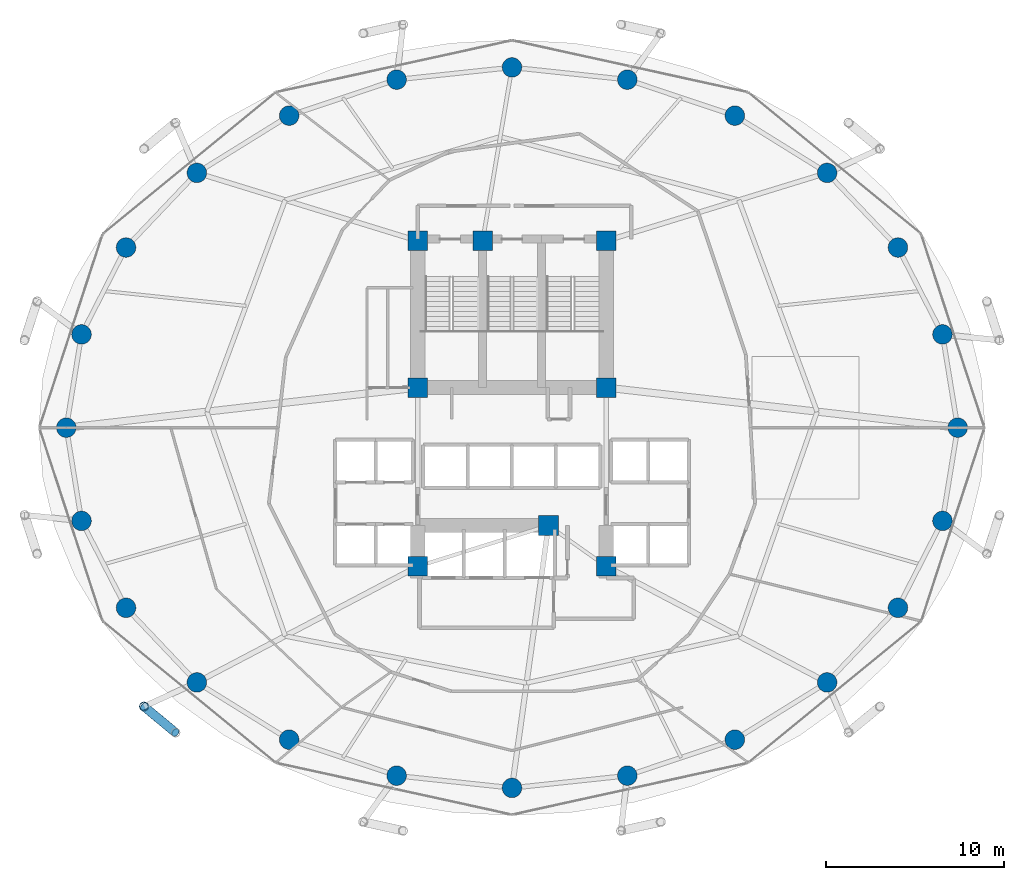
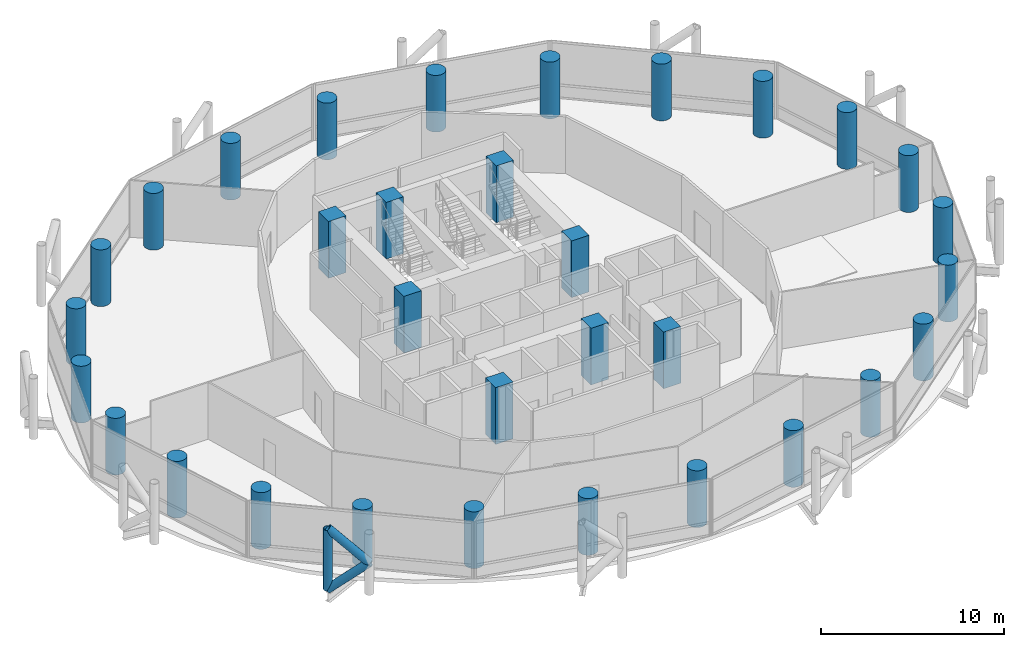
# One storey, part 1 of 24: 32 columns, 3 members.
"""IFC4 building model written with IfcOpenShell, lengths in metres."""

from ifc_helpers import new_model, si_unit, direction, frame, origin, origin_2d, place, context, subcontext, project, spatial, rectangle, circle, hollow_circle, extrude, material, material_profile, profile_set, type_object, element, save


model = new_model("IFC4")

# Units and contexts
model_context = context("Model", 3, precision=1e-05, world=origin(), true_north=direction((0.0, 1.0)))
body_context = subcontext(model_context, "Body", "Model", "MODEL_VIEW")
ifc_project = project(units=[si_unit("LENGTHUNIT", "METRE"), si_unit("AREAUNIT", "SQUARE_METRE"), si_unit("VOLUMEUNIT", "CUBIC_METRE"), si_unit("PLANEANGLEUNIT", "RADIAN"), si_unit("MASSUNIT", "GRAM", prefix="KILO")], contexts=[model_context])

# Site, building, storey
site_placement = place(None, origin())
site = spatial("IfcSite", under=ifc_project, at=site_placement, CompositionType="ELEMENT")
building_placement = place(site_placement, origin())
building = spatial("IfcBuilding", under=site, at=building_placement, Name="Nuhasar Tower", CompositionType="ELEMENT")
storey_placement = place(building_placement, frame((0.0, 0.0, 37.199951171875)))
storey = spatial("IfcBuildingStorey", under=building, at=storey_placement, Name="L08", CompositionType="ELEMENT", Elevation=37.199951171875)

# Columns
ifc_material_1 = material(Name="Concrete C80/95", Category="concrete")
ifc_material_profile_1 = material_profile(ifc_material_1, circle(Radius=0.550048828125, at=origin_2d()), Name="CFT1100")
ifc_profile_set_1 = profile_set([ifc_material_profile_1], Name="Concrete C80/95")
column_type_1 = type_object("IfcColumnType", Name="COL-CFT-1100", PredefinedType="COLUMN", material=ifc_profile_set_1)
for number, where, z_axis, x_axis, name in (
    (1, (64.050048828125, 26.800048828125, 0.0), (0.0, 0.0, 1.0), (1.0, 0.0, 0.0), "L08 Perimeter Composite Column TC-01"),
    (2, (63.196044921875, 32.041015625, 0.0), (0.0, 0.0, 1.0), (1.0, 0.0, 0.0), "L08 Perimeter Composite Column TC-02"),
    (3, (60.694091796875, 36.925048828125, 0.0), (0.0, 0.0, 1.0), (1.0, 0.0, 0.0), "L08 Perimeter Composite Column TC-03"),
    (4, (56.712890625, 41.118896484375, 0.0), (0.0, 0.0, 1.0), (1.0, 0.0, 0.0), "L08 Perimeter Composite Column TC-04"),
    (5, (51.52490234375, 44.3369140625, 0.0), (0.0, 0.0, 1.0), (1.0, 0.0, 0.0), "L08 Perimeter Composite Column TC-05"),
    (6, (45.48291015625, 46.360107421875, 0.0), (0.0, 0.0, 1.0), (1.0, 0.0, 0.0), "L08 Perimeter Composite Column TC-06"),
    (7, (39.0, 47.050048828125, 0.0), (0.0, 0.0, 1.0), (1.0, 0.0, 0.0), "L08 Perimeter Composite Column TC-07"),
    (8, (32.51708984375, 46.360107421875, 0.0), (0.0, 0.0, 1.0), (1.0, 0.0, 0.0), "L08 Perimeter Composite Column TC-08"),
    (9, (26.47509765625, 44.3369140625, 0.0), (0.0, 0.0, 1.0), (1.0, 0.0, 0.0), "L08 Perimeter Composite Column TC-09"),
    (10, (21.287109375, 41.118896484375, 0.0), (0.0, 0.0, 1.0), (1.0, 0.0, 0.0), "L08 Perimeter Composite Column TC-10"),
    (11, (17.305908203125, 36.925048828125, 0.0), (0.0, 0.0, 1.0), (1.0, 0.0, 0.0), "L08 Perimeter Composite Column TC-11"),
    (12, (14.803955078125, 32.041015625, 0.0), (0.0, 0.0, 1.0), (1.0, 0.0, 0.0), "L08 Perimeter Composite Column TC-12"),
    (13, (13.949951171875, 26.800048828125, 0.0), (0.0, 0.0, 1.0), (1.0, 0.0, 0.0), "L08 Perimeter Composite Column TC-13"),
    (14, (14.803955078125, 21.55908203125, 0.0), (0.0, 0.0, 1.0), (1.0, 0.0, 0.0), "L08 Perimeter Composite Column TC-14"),
    (15, (17.305908203125, 16.675048828125, 0.0), (0.0, 0.0, 1.0), (1.0, 0.0, 0.0), "L08 Perimeter Composite Column TC-15"),
    (16, (21.287109375, 12.48095703125, 0.0), (0.0, 0.0, 1.0), (1.0, 0.0, 0.0), "L08 Perimeter Composite Column TC-16"),
    (17, (26.47509765625, 9.262939453125, 0.0), (0.0, 0.0, 1.0), (1.0, 0.0, 0.0), "L08 Perimeter Composite Column TC-17"),
    (18, (32.51708984375, 7.239990234375, 0.0), (0.0, 0.0, 1.0), (1.0, 0.0, 0.0), "L08 Perimeter Composite Column TC-18"),
    (19, (39.0, 6.550048828125, 0.0), (0.0, 0.0, 1.0), (1.0, 0.0, 0.0), "L08 Perimeter Composite Column TC-19"),
    (20, (45.48291015625, 7.239990234375, 0.0), (0.0, 0.0, 1.0), (1.0, 0.0, 0.0), "L08 Perimeter Composite Column TC-20"),
    (21, (51.52490234375, 9.262939453125, 0.0), (0.0, 0.0, 1.0), (1.0, 0.0, 0.0), "L08 Perimeter Composite Column TC-21"),
    (22, (56.712890625, 12.48095703125, 0.0), (0.0, 0.0, 1.0), (1.0, 0.0, 0.0), "L08 Perimeter Composite Column TC-22"),
    (23, (60.694091796875, 16.675048828125, 0.0), (0.0, 0.0, 1.0), (1.0, 0.0, 0.0), "L08 Perimeter Composite Column TC-23"),
    (24, (63.196044921875, 21.55908203125, 0.0), (0.0, 0.0, 1.0), (1.0, 0.0, 0.0), "L08 Perimeter Composite Column TC-24"),
):
    element("IfcColumn", number, at=place(storey_placement, frame(where, z_axis=z_axis, x_axis=x_axis)), inside=storey, type_object=column_type_1, Name=name, PredefinedType="COLUMN", context=body_context, shape_type="SweptSolid", body=[
        extrude(circle(Radius=0.550048828125, at=origin_2d()), origin(), (0.0, 0.0, 1.0), 3.7900390625),
    ])
ifc_material_profile_2 = material_profile(ifc_material_1, rectangle(XDim=1.10009765625, YDim=1.10009765625, at=origin_2d()), Name="RC1100X1100")
ifc_profile_set_2 = profile_set([ifc_material_profile_2], Name="Concrete C80/95")
column_type_2 = type_object("IfcColumnType", Name="PIL-RC-1100", PredefinedType="PILASTER", material=ifc_profile_set_2)
for number, where, z_axis, x_axis, name in (
    (25, (33.699951171875, 19.0, 0.0), (0.0, 0.0, 1.0), (1.0, 0.0, 0.0), "L08 Core Boundary Pilaster CC-01"),
    (26, (41.050048828125, 21.300048828125, 0.0), (0.0, 0.0, 1.0), (1.0, 0.0, 0.0), "L08 Core Boundary Pilaster CC-02"),
    (27, (44.300048828125, 19.0, 0.0), (0.0, 0.0, 1.0), (1.0, 0.0, 0.0), "L08 Core Boundary Pilaster CC-03"),
    (28, (44.300048828125, 29.050048828125, 0.0), (0.0, 0.0, 1.0), (1.0, 0.0, 0.0), "L08 Core Boundary Pilaster CC-04"),
    (29, (44.300048828125, 37.300048828125, 0.0), (0.0, 0.0, 1.0), (1.0, 0.0, 0.0), "L08 Core Boundary Pilaster CC-05"),
    (30, (37.35009765625, 37.300048828125, 0.0), (0.0, 0.0, 1.0), (1.0, 0.0, 0.0), "L08 Core Boundary Pilaster CC-06"),
    (31, (33.699951171875, 37.300048828125, 0.0), (0.0, 0.0, 1.0), (1.0, 0.0, 0.0), "L08 Core Boundary Pilaster CC-07"),
    (32, (33.699951171875, 29.050048828125, 0.0), (0.0, 0.0, 1.0), (1.0, 0.0, 0.0), "L08 Core Boundary Pilaster CC-08"),
):
    element("IfcColumn", number, at=place(storey_placement, frame(where, z_axis=z_axis, x_axis=x_axis)), inside=storey, type_object=column_type_2, Name=name, PredefinedType="PILASTER", context=body_context, shape_type="SweptSolid", body=[
        extrude(rectangle(XDim=1.10009765625, YDim=1.10009765625, at=origin_2d()), origin(), (0.0, 0.0, 1.0), 3.7900390625),
    ])

# Members
ifc_material_2 = material(Name="Steel S460", Category="steel")
ifc_material_profile_3 = material_profile(ifc_material_2, hollow_circle(Radius=0.25390625, WallThickness=0.025390625, at=origin_2d()), Name="HSS508X25.4")
ifc_profile_set_3 = profile_set([ifc_material_profile_3], Name="Steel S460")
member_type = type_object("IfcMemberType", Name="EXO-BRONZE-508", PredefinedType="BRACE", material=ifc_profile_set_3)
member_1_placement = place(storey_placement, frame((18.31494140625, 11.12890625, 0.0), z_axis=(0.0, 0.0, 1.0), x_axis=(1.0, 0.0, 0.0)))
element("IfcMember", 33, at=member_1_placement, inside=storey, type_object=member_type, Name="L08 Exoskeleton Chord Column EC-08A", PredefinedType="BRACE", context=body_context, shape_type="SweptSolid", body=[
    extrude(hollow_circle(Radius=0.25390625, WallThickness=0.025390625, at=origin_2d()), origin(), (0.0, 0.0, 1.0), 4.050048828125),
])
member_2_placement = place(storey_placement, frame((18.31494140625, 11.12890625, 0.0), z_axis=(0.578071194894, -0.478911834514, 0.660664172175), x_axis=(0.637969333506, 0.770061769929, 0.0)))
element("IfcMember", 34, at=member_2_placement, inside=storey, type_object=member_type, Name="L08 Bronze Diagrid Brace W1-08", PredefinedType="BRACE", context=body_context, shape_type="SweptSolid", body=[
    extrude(hollow_circle(Radius=0.25390625, WallThickness=0.025390625, at=origin_2d()), origin(), (0.0, 0.0, 1.0), 3.0654296875),
])
member_3_placement = place(storey_placement, frame((20.0869140625, 9.660888671875, 2.025146484375), z_axis=(-0.578101613167, 0.478937034992, 0.660619286251), x_axis=(-0.637969333506, -0.770061769929, 0.0)))
element("IfcMember", 35, at=member_3_placement, inside=storey, type_object=member_type, Name="L08 Bronze Diagrid Brace W2-08", PredefinedType="BRACE", context=body_context, shape_type="SweptSolid", body=[
    extrude(hollow_circle(Radius=0.25390625, WallThickness=0.025390625, at=origin_2d()), origin(), (0.0, 0.0, 1.0), 3.065185546875),
])

save(model, "model.ifc")
